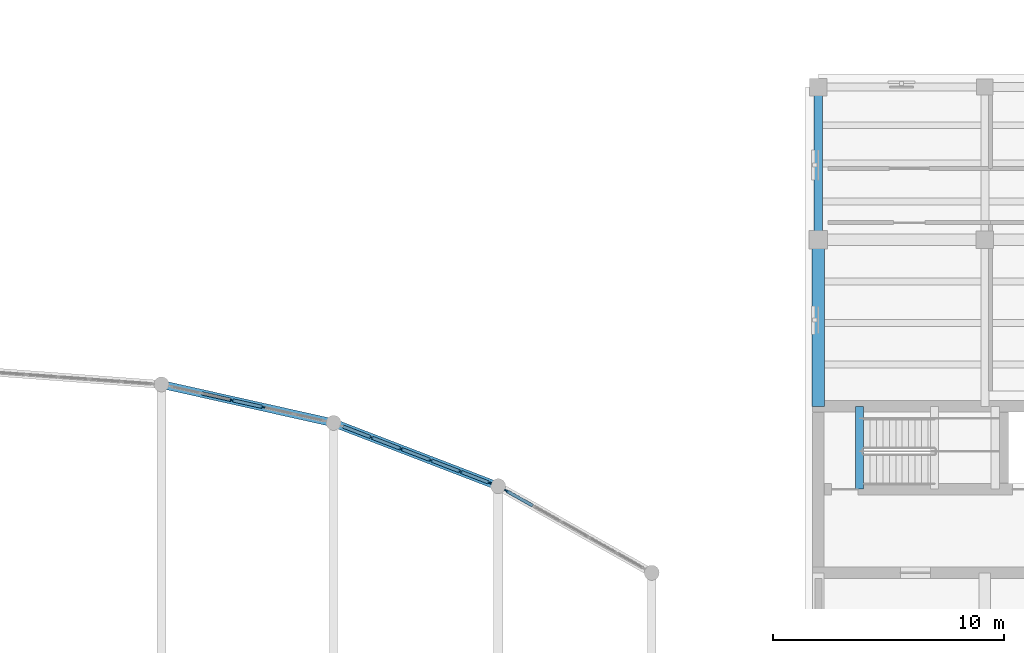
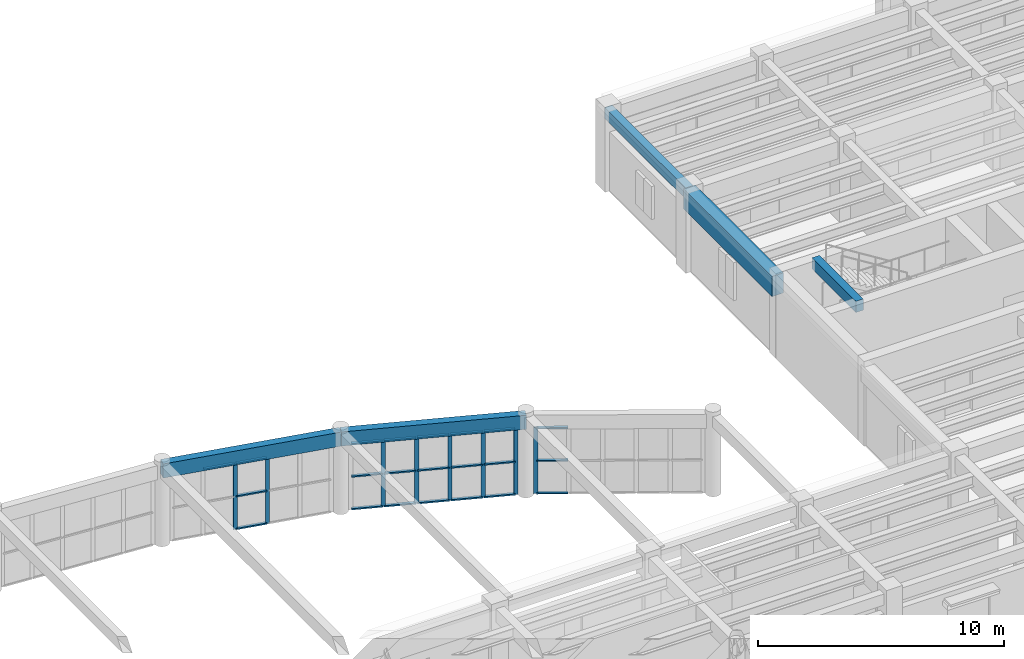
# One storey, part 23 of 76: 30 members, 5 beams, 3 elements without a shape of their own.
"""IFC4 building model written with IfcOpenShell, lengths in metres."""

from ifc_helpers import new_model, si_unit, direction, frame, origin, origin_2d, place, context, subcontext, project, spatial, rectangle, extrude, material, material_profile, profile_set, type_object, element, aggregate, save


model = new_model("IFC4")

# Units and contexts
model_context = context("Model", 3, precision=1e-05, world=origin(), true_north=direction((0.0, 1.0)))
body_context = subcontext(model_context, "Body", "Model", "MODEL_VIEW")
ifc_project = project(units=[si_unit("LENGTHUNIT", "METRE"), si_unit("AREAUNIT", "SQUARE_METRE"), si_unit("VOLUMEUNIT", "CUBIC_METRE"), si_unit("PLANEANGLEUNIT", "RADIAN"), si_unit("MASSUNIT", "GRAM", prefix="KILO")], contexts=[model_context])

# Site, building, storey
site_placement = place(None, origin())
site = spatial("IfcSite", under=ifc_project, at=site_placement, CompositionType="ELEMENT")
building_placement = place(site_placement, origin())
building = spatial("IfcBuilding", under=site, at=building_placement, Name="Mithqara Police Headquarters", CompositionType="ELEMENT")
storey_placement = place(building_placement, frame((0.0, 0.0, 5.39990234375)))
storey = spatial("IfcBuildingStorey", under=building, at=storey_placement, Name="L01", CompositionType="ELEMENT", Elevation=5.39990234375)

# Beams
ifc_material_1 = material(Name="Concrete C40/50", Category="concrete")
ifc_material_profile_1 = material_profile(ifc_material_1, rectangle(XDim=0.35009765625, YDim=0.550048828125, at=origin_2d()), Name="RC 350x550")
ifc_profile_set_1 = profile_set([ifc_material_profile_1], Name="Concrete C40/50")
beam_type_1 = type_object("IfcBeamType", Name="BEAM RC350X550", PredefinedType="BEAM", material=ifc_profile_set_1)
beam_1_placement = place(storey_placement, frame((108.60009765625, 107.39990234375, 3.64501953125), z_axis=(0.0, 1.0, 0.0), x_axis=(-1.0, 0.0, 0.0)))
element("IfcBeam", 1, at=beam_1_placement, inside=storey, type_object=beam_type_1, Name="L01 Girder 16/R-S", PredefinedType="BEAM", context=body_context, shape_type="SweptSolid", body=[
    extrude(rectangle(XDim=0.35009765625, YDim=0.550048828125, at=origin_2d()), origin(), (0.0, 0.0, 1.0), 6.60009765625),
])
beam_2_placement = place(storey_placement, frame((110.376953125, 96.6201171875, 3.925048828125), z_axis=(0.0, 1.0, 0.0), x_axis=(-1.0, 0.0, 0.0)))
element("IfcBeam", 2, at=beam_2_placement, inside=storey, type_object=beam_type_1, Name="L01 ST-01 Stairwell Trimmer Beam", PredefinedType="BEAM", context=body_context, shape_type="SweptSolid", body=[
    extrude(rectangle(XDim=0.35009765625, YDim=0.550048828125, at=origin_2d()), origin(), (0.0, 0.0, 1.0), 3.579833984375),
])
ifc_material_2 = material(Name="Concrete C50/60", Category="concrete")
ifc_material_profile_2 = material_profile(ifc_material_2, rectangle(XDim=0.550048828125, YDim=1.0, at=origin_2d()), Name="RC 550x1000")
ifc_profile_set_2 = profile_set([ifc_material_profile_2], Name="Concrete C50/60")
beam_type_2 = type_object("IfcBeamType", Name="BEAM RC550X1000", PredefinedType="BEAM", material=ifc_profile_set_2)
beam_3_placement = place(storey_placement, frame((108.60009765625, 100.199951171875, 3.420166015625), z_axis=(0.0, 1.0, 0.0), x_axis=(-1.0, 0.0, 0.0)))
element("IfcBeam", 3, at=beam_3_placement, inside=storey, type_object=beam_type_2, Name="L01 Girder 16/Q-R", PredefinedType="BEAM", context=body_context, shape_type="SweptSolid", body=[
    extrude(rectangle(XDim=0.550048828125, YDim=1.0, at=origin_2d()), origin(), (0.0, 0.0, 1.0), 7.199951171875),
])

# Curtain wall, members
ifc_material_3 = material(Name="Bronze anodised aluminium 6063-T6", Category="aluminium")
curtain_wall_type = type_object("IfcCurtainWallType", Name="CURTAIN WALL 6875X3300", PredefinedType="USERDEFINED", material=ifc_material_3)
curtain_wall_1_placement = place(storey_placement, origin())
curtain_wall_1 = element("IfcCurtainWall", 4, at=curtain_wall_1_placement, inside=storey, type_object=curtain_wall_type, Name="L01 Unitised Glazing CW-12 (CW-ARC-L01-05-0)", ObjectType="UNITISED GLAZING", PredefinedType="USERDEFINED")
ifc_material_profile_3 = material_profile(ifc_material_3, rectangle(XDim=0.06494140625, YDim=0.179931640625, at=origin_2d()), Name="CWM 65x180")
ifc_profile_set_3 = profile_set([ifc_material_profile_3], Name="Bronze anodised aluminium 6063-T6")
member_type_1 = type_object("IfcMemberType", Name="CWMULLION 65X180", PredefinedType="MULLION", material=ifc_profile_set_3)
member_1_placement = place(storey_placement, frame((83.25244140625, 100.462646484375, 0.0), z_axis=(0.0, 0.0, 1.0), x_axis=(0.218341058316, 0.975872523567, 0.0)))
member_1 = element("IfcMember", 5, at=member_1_placement, type_object=member_type_1, Name="CW-12 mullion 3", PredefinedType="MULLION", context=body_context, shape_type="SweptSolid", body=[
    extrude(rectangle(XDim=0.06494140625, YDim=0.179931640625, at=origin_2d()), origin(), (0.0, 0.0, 1.0), 3.300048828125),
])
member_2_placement = place(storey_placement, frame((84.59423828125, 100.16259765625, 0.0), z_axis=(0.0, 0.0, 1.0), x_axis=(0.218341058316, 0.975872523567, 0.0)))
member_2 = element("IfcMember", 6, at=member_2_placement, type_object=member_type_1, Name="CW-12 mullion 4", PredefinedType="MULLION", context=body_context, shape_type="SweptSolid", body=[
    extrude(rectangle(XDim=0.06494140625, YDim=0.179931640625, at=origin_2d()), origin(), (0.0, 0.0, 1.0), 3.300048828125),
])

curtain_wall_2_placement = place(storey_placement, origin())
curtain_wall_2 = element("IfcCurtainWall", 7, at=curtain_wall_2_placement, inside=storey, type_object=curtain_wall_type, Name="L01 Unitised Glazing CW-12 (CW-ARC-L01-06-0)", ObjectType="UNITISED GLAZING", PredefinedType="USERDEFINED")
member_3_placement = place(storey_placement, frame((89.2763671875, 98.852783203125, 0.0), z_axis=(0.0, 0.0, 1.0), x_axis=(0.358680788402, 0.933460278765, 0.0)))
member_3 = element("IfcMember", 8, at=member_3_placement, type_object=member_type_1, Name="CW-12 mullion 2", PredefinedType="MULLION", context=body_context, shape_type="SweptSolid", body=[
    extrude(rectangle(XDim=0.06494140625, YDim=0.179931640625, at=origin_2d()), origin(), (0.0, 0.0, 1.0), 3.300048828125),
])
member_4_placement = place(storey_placement, frame((90.559814453125, 98.359619140625, 0.0), z_axis=(0.0, 0.0, 1.0), x_axis=(0.358680788402, 0.933460278765, 0.0)))
member_4 = element("IfcMember", 9, at=member_4_placement, type_object=member_type_1, Name="CW-12 mullion 3", PredefinedType="MULLION", context=body_context, shape_type="SweptSolid", body=[
    extrude(rectangle(XDim=0.06494140625, YDim=0.179931640625, at=origin_2d()), origin(), (0.0, 0.0, 1.0), 3.300048828125),
])
member_5_placement = place(storey_placement, frame((91.84326171875, 97.866455078125, 0.0), z_axis=(0.0, 0.0, 1.0), x_axis=(0.358680788402, 0.933460278765, 0.0)))
member_5 = element("IfcMember", 10, at=member_5_placement, type_object=member_type_1, Name="CW-12 mullion 4", PredefinedType="MULLION", context=body_context, shape_type="SweptSolid", body=[
    extrude(rectangle(XDim=0.06494140625, YDim=0.179931640625, at=origin_2d()), origin(), (0.0, 0.0, 1.0), 3.300048828125),
])
member_6_placement = place(storey_placement, frame((93.126708984375, 97.373291015625, 0.0), z_axis=(0.0, 0.0, 1.0), x_axis=(0.358680788402, 0.933460278765, 0.0)))
member_6 = element("IfcMember", 11, at=member_6_placement, type_object=member_type_1, Name="CW-12 mullion 5", PredefinedType="MULLION", context=body_context, shape_type="SweptSolid", body=[
    extrude(rectangle(XDim=0.06494140625, YDim=0.179931640625, at=origin_2d()), origin(), (0.0, 0.0, 1.0), 3.300048828125),
])
member_7_placement = place(storey_placement, frame((94.3798828125, 96.891845703125, 0.0), z_axis=(0.0, 0.0, 1.0), x_axis=(0.358680788402, 0.933460278765, 0.0)))
member_7 = element("IfcMember", 12, at=member_7_placement, type_object=member_type_1, Name="CW-12 mullion 6", PredefinedType="MULLION", context=body_context, shape_type="SweptSolid", body=[
    extrude(rectangle(XDim=0.06494140625, YDim=0.179931640625, at=origin_2d()), origin(), (0.0, 0.0, 1.0), 3.300048828125),
])

# Curtain wall, member
curtain_wall_3_placement = place(storey_placement, origin())
curtain_wall_3 = element("IfcCurtainWall", 13, at=curtain_wall_3_placement, inside=storey, type_object=curtain_wall_type, Name="L01 Unitised Glazing CW-12 (CW-ARC-L01-07-0)", ObjectType="UNITISED GLAZING", PredefinedType="USERDEFINED")
member_8_placement = place(storey_placement, frame((95.114501953125, 96.545654296875, 0.0), z_axis=(0.0, 0.0, 1.0), x_axis=(0.491307888255, 0.870985969427, 0.0)))
member_8 = element("IfcMember", 14, at=member_8_placement, type_object=member_type_1, Name="CW-12 mullion 1", PredefinedType="MULLION", context=body_context, shape_type="SweptSolid", body=[
    extrude(rectangle(XDim=0.06494140625, YDim=0.179931640625, at=origin_2d()), origin(), (0.0, 0.0, 1.0), 3.300048828125),
])

# Member
ifc_material_profile_4 = material_profile(ifc_material_3, rectangle(XDim=0.139892578125, YDim=0.06494140625, at=origin_2d()), Name="CWT 140x65")
ifc_profile_set_4 = profile_set([ifc_material_profile_4], Name="Bronze anodised aluminium 6063-T6")
member_type_2 = type_object("IfcMemberType", Name="CWTRANSOM 140X65", PredefinedType="USERDEFINED", material=ifc_profile_set_4)
member_9_placement = place(storey_placement, frame((81.9423828125, 100.755859375, 3.267578125), z_axis=(0.975852628103, -0.218429961829, 0.0), x_axis=(0.218429961829, 0.975852628103, 0.0)))
member_9 = element("IfcMember", 15, at=member_9_placement, type_object=member_type_2, Name="CW-12 transom 2.3", ObjectType="TRANSOM", PredefinedType="USERDEFINED", context=body_context, shape_type="SweptSolid", body=[
    extrude(rectangle(XDim=0.139892578125, YDim=0.06494140625, at=origin_2d()), origin(), (0.0, 0.0, 1.0), 1.31005859375),
])

member_10_placement = place(storey_placement, frame((83.2841796875, 100.45556640625, 0.03271484375), z_axis=(0.975892340146, -0.218252469502, 0.0), x_axis=(0.218252469502, 0.975892340146, 0.0)))
member_10 = element("IfcMember", 16, at=member_10_placement, type_object=member_type_2, Name="CW-12 transom 3.1", ObjectType="TRANSOM", PredefinedType="USERDEFINED", context=body_context, shape_type="SweptSolid", body=[
    extrude(rectangle(XDim=0.139892578125, YDim=0.06494140625, at=origin_2d()), origin(), (0.0, 0.0, 1.0), 1.309814453125),
])

member_11_placement = place(storey_placement, frame((83.2841796875, 100.45556640625, 1.650146484375), z_axis=(0.975892340146, -0.218252469502, 0.0), x_axis=(0.218252469502, 0.975892340146, 0.0)))
member_11 = element("IfcMember", 17, at=member_11_placement, type_object=member_type_2, Name="CW-12 transom 3.2", ObjectType="TRANSOM", PredefinedType="USERDEFINED", context=body_context, shape_type="SweptSolid", body=[
    extrude(rectangle(XDim=0.139892578125, YDim=0.06494140625, at=origin_2d()), origin(), (0.0, 0.0, 1.0), 1.309814453125),
])

member_12_placement = place(storey_placement, frame((83.2841796875, 100.45556640625, 3.267578125), z_axis=(0.975892340146, -0.218252469502, 0.0), x_axis=(0.218252469502, 0.975892340146, 0.0)))
member_12 = element("IfcMember", 18, at=member_12_placement, type_object=member_type_2, Name="CW-12 transom 3.3", ObjectType="TRANSOM", PredefinedType="USERDEFINED", context=body_context, shape_type="SweptSolid", body=[
    extrude(rectangle(XDim=0.139892578125, YDim=0.06494140625, at=origin_2d()), origin(), (0.0, 0.0, 1.0), 1.309814453125),
])

aggregate(curtain_wall_1, [member_1, member_2, member_9, member_10, member_11, member_12])

member_13_placement = place(storey_placement, frame((88.053466796875, 99.322509765625, 0.03271484375), z_axis=(0.933527721298, -0.358505221117, 0.0), x_axis=(0.358505221117, 0.933527721298, 0.0)))
member_13 = element("IfcMember", 19, at=member_13_placement, type_object=member_type_2, Name="CW-12 transom 1.1", ObjectType="TRANSOM", PredefinedType="USERDEFINED", context=body_context, shape_type="SweptSolid", body=[
    extrude(rectangle(XDim=0.139892578125, YDim=0.06494140625, at=origin_2d()), origin(), (0.0, 0.0, 1.0), 1.277587890625),
])

member_14_placement = place(storey_placement, frame((88.053466796875, 99.322509765625, 1.650146484375), z_axis=(0.933527721298, -0.358505221117, 0.0), x_axis=(0.358505221117, 0.933527721298, 0.0)))
member_14 = element("IfcMember", 20, at=member_14_placement, type_object=member_type_2, Name="CW-12 transom 1.2", ObjectType="TRANSOM", PredefinedType="USERDEFINED", context=body_context, shape_type="SweptSolid", body=[
    extrude(rectangle(XDim=0.139892578125, YDim=0.06494140625, at=origin_2d()), origin(), (0.0, 0.0, 1.0), 1.277587890625),
])

member_15_placement = place(storey_placement, frame((88.053466796875, 99.322509765625, 3.267578125), z_axis=(0.933527721298, -0.358505221117, 0.0), x_axis=(0.358505221117, 0.933527721298, 0.0)))
member_15 = element("IfcMember", 21, at=member_15_placement, type_object=member_type_2, Name="CW-12 transom 1.3", ObjectType="TRANSOM", PredefinedType="USERDEFINED", context=body_context, shape_type="SweptSolid", body=[
    extrude(rectangle(XDim=0.139892578125, YDim=0.06494140625, at=origin_2d()), origin(), (0.0, 0.0, 1.0), 1.277587890625),
])

member_16_placement = place(storey_placement, frame((89.306640625, 98.841064453125, 0.03271484375), z_axis=(0.933504021828, -0.35856692713, 0.0), x_axis=(0.35856692713, 0.933504021828, 0.0)))
member_16 = element("IfcMember", 22, at=member_16_placement, type_object=member_type_2, Name="CW-12 transom 2.1", ObjectType="TRANSOM", PredefinedType="USERDEFINED", context=body_context, shape_type="SweptSolid", body=[
    extrude(rectangle(XDim=0.139892578125, YDim=0.06494140625, at=origin_2d()), origin(), (0.0, 0.0, 1.0), 1.31005859375),
])

member_17_placement = place(storey_placement, frame((89.306640625, 98.841064453125, 1.650146484375), z_axis=(0.933504021828, -0.35856692713, 0.0), x_axis=(0.35856692713, 0.933504021828, 0.0)))
member_17 = element("IfcMember", 23, at=member_17_placement, type_object=member_type_2, Name="CW-12 transom 2.2", ObjectType="TRANSOM", PredefinedType="USERDEFINED", context=body_context, shape_type="SweptSolid", body=[
    extrude(rectangle(XDim=0.139892578125, YDim=0.06494140625, at=origin_2d()), origin(), (0.0, 0.0, 1.0), 1.31005859375),
])

member_18_placement = place(storey_placement, frame((89.306640625, 98.841064453125, 3.267578125), z_axis=(0.933504021828, -0.35856692713, 0.0), x_axis=(0.35856692713, 0.933504021828, 0.0)))
member_18 = element("IfcMember", 24, at=member_18_placement, type_object=member_type_2, Name="CW-12 transom 2.3", ObjectType="TRANSOM", PredefinedType="USERDEFINED", context=body_context, shape_type="SweptSolid", body=[
    extrude(rectangle(XDim=0.139892578125, YDim=0.06494140625, at=origin_2d()), origin(), (0.0, 0.0, 1.0), 1.31005859375),
])

member_19_placement = place(storey_placement, frame((90.590087890625, 98.347900390625, 0.03271484375), z_axis=(0.933504021828, -0.35856692713, 0.0), x_axis=(0.35856692713, 0.933504021828, 0.0)))
member_19 = element("IfcMember", 25, at=member_19_placement, type_object=member_type_2, Name="CW-12 transom 3.1", ObjectType="TRANSOM", PredefinedType="USERDEFINED", context=body_context, shape_type="SweptSolid", body=[
    extrude(rectangle(XDim=0.139892578125, YDim=0.06494140625, at=origin_2d()), origin(), (0.0, 0.0, 1.0), 1.31005859375),
])

member_20_placement = place(storey_placement, frame((90.590087890625, 98.347900390625, 1.650146484375), z_axis=(0.933504021828, -0.35856692713, 0.0), x_axis=(0.35856692713, 0.933504021828, 0.0)))
member_20 = element("IfcMember", 26, at=member_20_placement, type_object=member_type_2, Name="CW-12 transom 3.2", ObjectType="TRANSOM", PredefinedType="USERDEFINED", context=body_context, shape_type="SweptSolid", body=[
    extrude(rectangle(XDim=0.139892578125, YDim=0.06494140625, at=origin_2d()), origin(), (0.0, 0.0, 1.0), 1.31005859375),
])

member_21_placement = place(storey_placement, frame((90.590087890625, 98.347900390625, 3.267578125), z_axis=(0.933504021828, -0.35856692713, 0.0), x_axis=(0.35856692713, 0.933504021828, 0.0)))
member_21 = element("IfcMember", 27, at=member_21_placement, type_object=member_type_2, Name="CW-12 transom 3.3", ObjectType="TRANSOM", PredefinedType="USERDEFINED", context=body_context, shape_type="SweptSolid", body=[
    extrude(rectangle(XDim=0.139892578125, YDim=0.06494140625, at=origin_2d()), origin(), (0.0, 0.0, 1.0), 1.31005859375),
])

member_22_placement = place(storey_placement, frame((91.87353515625, 97.854736328125, 0.03271484375), z_axis=(0.933504021828, -0.35856692713, 0.0), x_axis=(0.35856692713, 0.933504021828, 0.0)))
member_22 = element("IfcMember", 28, at=member_22_placement, type_object=member_type_2, Name="CW-12 transom 4.1", ObjectType="TRANSOM", PredefinedType="USERDEFINED", context=body_context, shape_type="SweptSolid", body=[
    extrude(rectangle(XDim=0.139892578125, YDim=0.06494140625, at=origin_2d()), origin(), (0.0, 0.0, 1.0), 1.31005859375),
])

member_23_placement = place(storey_placement, frame((91.87353515625, 97.854736328125, 1.650146484375), z_axis=(0.933504021828, -0.35856692713, 0.0), x_axis=(0.35856692713, 0.933504021828, 0.0)))
member_23 = element("IfcMember", 29, at=member_23_placement, type_object=member_type_2, Name="CW-12 transom 4.2", ObjectType="TRANSOM", PredefinedType="USERDEFINED", context=body_context, shape_type="SweptSolid", body=[
    extrude(rectangle(XDim=0.139892578125, YDim=0.06494140625, at=origin_2d()), origin(), (0.0, 0.0, 1.0), 1.31005859375),
])

member_24_placement = place(storey_placement, frame((91.87353515625, 97.854736328125, 3.267578125), z_axis=(0.933504021828, -0.35856692713, 0.0), x_axis=(0.35856692713, 0.933504021828, 0.0)))
member_24 = element("IfcMember", 30, at=member_24_placement, type_object=member_type_2, Name="CW-12 transom 4.3", ObjectType="TRANSOM", PredefinedType="USERDEFINED", context=body_context, shape_type="SweptSolid", body=[
    extrude(rectangle(XDim=0.139892578125, YDim=0.06494140625, at=origin_2d()), origin(), (0.0, 0.0, 1.0), 1.31005859375),
])

member_25_placement = place(storey_placement, frame((93.156982421875, 97.361572265625, 0.03271484375), z_axis=(0.933439165084, -0.358735731544, 0.0), x_axis=(0.358735731544, 0.933439165084, 0.0)))
member_25 = element("IfcMember", 31, at=member_25_placement, type_object=member_type_2, Name="CW-12 transom 5.1", ObjectType="TRANSOM", PredefinedType="USERDEFINED", context=body_context, shape_type="SweptSolid", body=[
    extrude(rectangle(XDim=0.139892578125, YDim=0.06494140625, at=origin_2d()), origin(), (0.0, 0.0, 1.0), 1.27734375),
])

member_26_placement = place(storey_placement, frame((93.156982421875, 97.361572265625, 1.650146484375), z_axis=(0.933439165084, -0.358735731544, 0.0), x_axis=(0.358735731544, 0.933439165084, 0.0)))
member_26 = element("IfcMember", 32, at=member_26_placement, type_object=member_type_2, Name="CW-12 transom 5.2", ObjectType="TRANSOM", PredefinedType="USERDEFINED", context=body_context, shape_type="SweptSolid", body=[
    extrude(rectangle(XDim=0.139892578125, YDim=0.06494140625, at=origin_2d()), origin(), (0.0, 0.0, 1.0), 1.27734375),
])

member_27_placement = place(storey_placement, frame((93.156982421875, 97.361572265625, 3.267578125), z_axis=(0.933439165084, -0.358735731544, 0.0), x_axis=(0.358735731544, 0.933439165084, 0.0)))
member_27 = element("IfcMember", 33, at=member_27_placement, type_object=member_type_2, Name="CW-12 transom 5.3", ObjectType="TRANSOM", PredefinedType="USERDEFINED", context=body_context, shape_type="SweptSolid", body=[
    extrude(rectangle(XDim=0.139892578125, YDim=0.06494140625, at=origin_2d()), origin(), (0.0, 0.0, 1.0), 1.27734375),
])

aggregate(curtain_wall_2, [member_3, member_4, member_5, member_6, member_7, member_13, member_14, member_15, member_16, member_17, member_18, member_19, member_20, member_21, member_22, member_23, member_24, member_25, member_26, member_27])

member_28_placement = place(storey_placement, frame((95.142822265625, 96.52978515625, 0.03271484375), z_axis=(0.870947009323, -0.49137694996, 0.0), x_axis=(0.49137694996, 0.870947009323, 0.0)))
member_28 = element("IfcMember", 34, at=member_28_placement, type_object=member_type_2, Name="CW-12 transom 1.1", ObjectType="TRANSOM", PredefinedType="USERDEFINED", context=body_context, shape_type="SweptSolid", body=[
    extrude(rectangle(XDim=0.139892578125, YDim=0.06494140625, at=origin_2d()), origin(), (0.0, 0.0, 1.0), 1.27734375),
])

member_29_placement = place(storey_placement, frame((95.142822265625, 96.52978515625, 1.650146484375), z_axis=(0.870947009323, -0.49137694996, 0.0), x_axis=(0.49137694996, 0.870947009323, 0.0)))
member_29 = element("IfcMember", 35, at=member_29_placement, type_object=member_type_2, Name="CW-12 transom 1.2", ObjectType="TRANSOM", PredefinedType="USERDEFINED", context=body_context, shape_type="SweptSolid", body=[
    extrude(rectangle(XDim=0.139892578125, YDim=0.06494140625, at=origin_2d()), origin(), (0.0, 0.0, 1.0), 1.27734375),
])

member_30_placement = place(storey_placement, frame((95.142822265625, 96.52978515625, 3.267578125), z_axis=(0.870947009323, -0.49137694996, 0.0), x_axis=(0.49137694996, 0.870947009323, 0.0)))
member_30 = element("IfcMember", 36, at=member_30_placement, type_object=member_type_2, Name="CW-12 transom 1.3", ObjectType="TRANSOM", PredefinedType="USERDEFINED", context=body_context, shape_type="SweptSolid", body=[
    extrude(rectangle(XDim=0.139892578125, YDim=0.06494140625, at=origin_2d()), origin(), (0.0, 0.0, 1.0), 1.27734375),
])

aggregate(curtain_wall_3, [member_8, member_28, member_29, member_30])

# Beams
ifc_material_profile_5 = material_profile(ifc_material_1, rectangle(XDim=0.35009765625, YDim=0.699951171875, at=origin_2d()), Name="SPB 350x700")
ifc_profile_set_5 = profile_set([ifc_material_profile_5], Name="Concrete C40/50")
beam_type_3 = type_object("IfcBeamType", Name="SPANDREL 350X700", PredefinedType="SPANDREL", material=ifc_profile_set_5)
beam_4_placement = place(storey_placement, frame((80.203369140625, 101.14501953125, 3.650146484375), z_axis=(0.975867284048, -0.21836447496, 0.0), x_axis=(0.21836447496, 0.975867284048, 0.0)))
element("IfcBeam", 37, at=beam_4_placement, inside=storey, type_object=beam_type_3, Name="L01 Swept Arcade Ring Spandrel 6", PredefinedType="SPANDREL", context=body_context, shape_type="SweptSolid", body=[
    extrude(rectangle(XDim=0.35009765625, YDim=0.699951171875, at=origin_2d()), origin(), (0.0, 0.0, 1.0), 7.6240234375),
])
beam_5_placement = place(storey_placement, frame((87.643310546875, 99.480224609375, 3.650146484375), z_axis=(0.933454509324, -0.358695802907, 0.0), x_axis=(0.358695802907, 0.933454509324, 0.0)))
element("IfcBeam", 38, at=beam_5_placement, inside=storey, type_object=beam_type_3, Name="L01 Swept Arcade Ring Spandrel 7", PredefinedType="SPANDREL", context=body_context, shape_type="SweptSolid", body=[
    extrude(rectangle(XDim=0.35009765625, YDim=0.699951171875, at=origin_2d()), origin(), (0.0, 0.0, 1.0), 7.623779296875),
])

save(model, "model.ifc")
